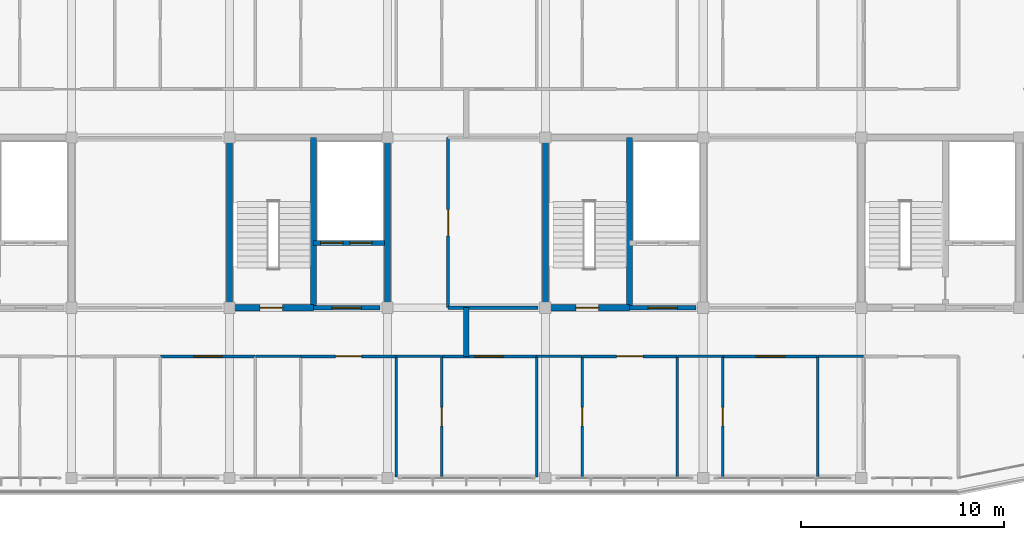
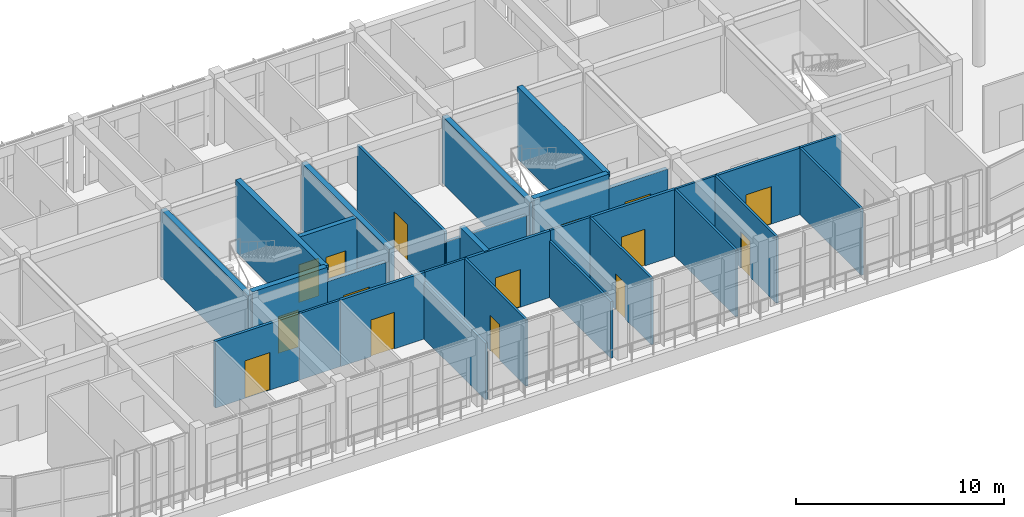
# One storey, part 39 of 44: 30 walls, 15 doors, 15 openings.
"""IFC4 building model written with IfcOpenShell, lengths in metres."""

from ifc_helpers import new_model, si_unit, direction, frame, frame_2d, origin, place, context, subcontext, project, spatial, rectangle, extrude, material, layer, layer_set, type_object, element, fill, save


model = new_model("IFC4")

# Units and contexts
model_context = context("Model", 3, precision=1e-05, world=origin(), true_north=direction((0.0, 1.0)))
body_context = subcontext(model_context, "Body", "Model", "MODEL_VIEW")
ifc_project = project(units=[si_unit("LENGTHUNIT", "METRE"), si_unit("AREAUNIT", "SQUARE_METRE"), si_unit("VOLUMEUNIT", "CUBIC_METRE"), si_unit("PLANEANGLEUNIT", "RADIAN"), si_unit("MASSUNIT", "GRAM", prefix="KILO")], contexts=[model_context])

# Site, building, storey
site_placement = place(None, origin())
site = spatial("IfcSite", under=ifc_project, at=site_placement, CompositionType="ELEMENT")
building_placement = place(site_placement, origin())
building = spatial("IfcBuilding", under=site, at=building_placement, Name="Zizhar Promenade General Hospital", CompositionType="ELEMENT")
storey_placement = place(building_placement, frame((0.0, 0.0, 34.800048828125)))
storey = spatial("IfcBuildingStorey", under=building, at=storey_placement, Name="L08", CompositionType="ELEMENT", Elevation=34.800048828125)

# Wall
ifc_material_1 = material(Name="Concrete C35/45", Category="concrete")
ifc_layer_1 = layer(ifc_material_1, 0.284912109375)
ifc_layer_set_1 = layer_set([ifc_layer_1], Name="Concrete C35/45")
wall_type_1 = type_object("IfcWallType", Name="IW-COMP-285", PredefinedType="STANDARD", material=ifc_layer_set_1)
wall_1_placement = place(storey_placement, frame((74.10009765625, 6.0, 0.0), z_axis=(0.0, 0.0, 1.0), x_axis=(0.0, 1.0, 0.0)))
element("IfcWall", 1, at=wall_1_placement, inside=storey, type_object=wall_type_1, Name="Horizontal Fire Compartment Wall South (L08)", PredefinedType="STANDARD", context=body_context, shape_type="SweptSolid", body=[
    extrude(rectangle(XDim=2.39990234375, YDim=0.284912109375, at=frame_2d((1.199951171875, 0.0))), origin(), (0.0, 0.0, 1.0), 3.89990234375),
])

# Wall, opening, door
ifc_material_2 = material(Name="Concrete C35/45", Category="concrete")
ifc_layer_2 = layer(ifc_material_2, 0.215087890625)
ifc_layer_set_2 = layer_set([ifc_layer_2], Name="Concrete C35/45")
wall_type_2 = type_object("IfcWallType", Name="IW-LOBBY-215", PredefinedType="STANDARD", material=ifc_layer_set_2)
wall_2_placement = place(storey_placement, frame((66.550048828125, 8.39990234375, 0.0), z_axis=(0.0, 0.0, 1.0), x_axis=(1.0, 0.0, 0.0)))
wall_2 = element("IfcWall", 2, at=wall_2_placement, inside=storey, type_object=wall_type_2, Name="Core C3 Lift Lobby South Fire Wall (L08)", PredefinedType="STANDARD", context=body_context, shape_type="SweptSolid", body=[
    extrude(rectangle(XDim=3.2900390625, YDim=0.215087890625, at=frame_2d((1.64501953125, 0.0))), origin(), (0.0, 0.0, 1.0), 3.320068359375),
])
opening_1_placement = place(wall_2_placement, frame((0.925048828125, 0.0, 0.0)))
opening_1 = element("IfcOpeningElement", 3, at=opening_1_placement, cuts=wall_2, Name="Opening D-23", PredefinedType="OPENING", context=body_context, shape_type="SweptSolid", body=[
    extrude(rectangle(XDim=1.43994140625, YDim=2.199951171875, at=frame_2d((0.719970703125, 1.10009765625))), frame((0.0, 0.11767578125, 0.0), z_axis=(0.0, -1.0, 0.0), x_axis=(1.0, 0.0, 0.0)), (0.0, 0.0, 1.0), 0.235107421875),
])
ifc_material_3 = material(Name="Fire-rated timber lift lobby pair", Category="wood")
door_type_1 = type_object("IfcDoorType", Name="DR-LOBBY-PR-144x220", OperationType="DOUBLE_DOOR_SINGLE_SWING", PredefinedType="DOOR", material=ifc_material_3)
door_1_placement = place(opening_1_placement, origin())
door_1 = element("IfcDoor", 4, at=door_1_placement, inside=storey, type_object=door_type_1, Name="Core C3 Protected Lift Lobby Door (L08)", OperationType="DOUBLE_DOOR_SINGLE_SWING", OverallHeight=2.199951171875, OverallWidth=1.43994140625, PredefinedType="DOOR", context=body_context, shape_type="SweptSolid", body=[
    extrude(rectangle(XDim=1.43994140625, YDim=2.199951171875, at=frame_2d((0.719970703125, 1.10009765625))), frame((0.0, 0.02490234375, 0.0), z_axis=(0.0, -1.0, 0.0), x_axis=(1.0, 0.0, 0.0)), (0.0, 0.0, 1.0), 0.050048828125),
])
fill(opening_1, door_1)

wall_3_placement = place(storey_placement, frame((82.14990234375, 8.39990234375, 0.0), z_axis=(0.0, 0.0, 1.0), x_axis=(1.0, 0.0, 0.0)))
wall_3 = element("IfcWall", 5, at=wall_3_placement, inside=storey, type_object=wall_type_2, Name="Core C4 Lift Lobby South Fire Wall (L08)", PredefinedType="STANDARD", context=body_context, shape_type="SweptSolid", body=[
    extrude(rectangle(XDim=3.2900390625, YDim=0.215087890625, at=frame_2d((1.64501953125, 0.0))), origin(), (0.0, 0.0, 1.0), 3.320068359375),
])
opening_2_placement = place(wall_3_placement, frame((0.925048828125, 0.0, 0.0)))
opening_2 = element("IfcOpeningElement", 6, at=opening_2_placement, cuts=wall_3, Name="Opening D-23", PredefinedType="OPENING", context=body_context, shape_type="SweptSolid", body=[
    extrude(rectangle(XDim=1.43994140625, YDim=2.199951171875, at=frame_2d((0.719970703125, 1.10009765625))), frame((0.0, 0.11767578125, 0.0), z_axis=(0.0, -1.0, 0.0), x_axis=(1.0, 0.0, 0.0)), (0.0, 0.0, 1.0), 0.235107421875),
])
door_2_placement = place(opening_2_placement, origin())
door_2 = element("IfcDoor", 7, at=door_2_placement, inside=storey, type_object=door_type_1, Name="Core C4 Protected Lift Lobby Door (L08)", OperationType="DOUBLE_DOOR_SINGLE_SWING", OverallHeight=2.199951171875, OverallWidth=1.43994140625, PredefinedType="DOOR", context=body_context, shape_type="SweptSolid", body=[
    extrude(rectangle(XDim=1.43994140625, YDim=2.199951171875, at=frame_2d((0.719970703125, 1.10009765625))), frame((0.0, 0.02490234375, 0.0), z_axis=(0.0, -1.0, 0.0), x_axis=(1.0, 0.0, 0.0)), (0.0, 0.0, 1.0), 0.050048828125),
])
fill(opening_2, door_2)

# Wall, openings, doors
ifc_material_4 = material(Name="Concrete C35/45", Category="concrete")
ifc_layer_3 = layer(ifc_material_4, 0.25)
ifc_layer_set_3 = layer_set([ifc_layer_3], Name="Concrete C35/45")
wall_type_3 = type_object("IfcWallType", Name="IW-SHAFT-250", PredefinedType="STANDARD", material=ifc_layer_set_3)
wall_4_placement = place(storey_placement, frame((66.550048828125, 11.60009765625, 0.0), z_axis=(0.0, 0.0, 1.0), x_axis=(1.0, 0.0, 0.0)))
wall_4 = element("IfcWall", 8, at=wall_4_placement, inside=storey, type_object=wall_type_3, Name="Core C3 Lift Shaft Landing Wall (L08)", PredefinedType="STANDARD", context=body_context, shape_type="SweptSolid", body=[
    extrude(rectangle(XDim=3.5, YDim=0.25, at=frame_2d((1.75, 0.0))), origin(), (0.0, 0.0, 1.0), 3.89990234375),
])
opening_3_placement = place(wall_4_placement, frame((0.35009765625, 0.0, 0.0)))
opening_3 = element("IfcOpeningElement", 9, at=opening_3_placement, cuts=wall_4, Name="Opening LD-11", PredefinedType="OPENING", context=body_context, shape_type="SweptSolid", body=[
    extrude(rectangle(XDim=1.10009765625, YDim=2.199951171875, at=frame_2d((0.550048828125, 1.10009765625))), frame((0.0, 0.135009765625, 0.0), z_axis=(0.0, -1.0, 0.0), x_axis=(1.0, 0.0, 0.0)), (0.0, 0.0, 1.0), 0.27001953125),
])
opening_4_placement = place(wall_4_placement, frame((1.800048828125, 0.0, 0.0)))
opening_4 = element("IfcOpeningElement", 10, at=opening_4_placement, cuts=wall_4, Name="Opening LD-11", PredefinedType="OPENING", context=body_context, shape_type="SweptSolid", body=[
    extrude(rectangle(XDim=1.10009765625, YDim=2.199951171875, at=frame_2d((0.550048828125, 1.10009765625))), frame((0.0, 0.135009765625, 0.0), z_axis=(0.0, -1.0, 0.0), x_axis=(1.0, 0.0, 0.0)), (0.0, 0.0, 1.0), 0.27001953125),
])
ifc_material_5 = material(Name="Stainless Steel S355 passenger lift landing door", Category="steel")
door_type_2 = type_object("IfcDoorType", Name="DR-LIFT-LD11", OperationType="SLIDING_TO_LEFT", PredefinedType="DOOR", material=ifc_material_5)
door_3_placement = place(opening_3_placement, origin())
door_3 = element("IfcDoor", 11, at=door_3_placement, inside=storey, type_object=door_type_2, Name="Lift LB-02 Sliding Landing Door (L08)", OperationType="SLIDING_TO_LEFT", OverallHeight=2.199951171875, OverallWidth=1.10009765625, PredefinedType="DOOR", context=body_context, shape_type="SweptSolid", body=[
    extrude(rectangle(XDim=1.10009765625, YDim=2.199951171875, at=frame_2d((0.550048828125, 1.10009765625))), frame((0.0, 0.02490234375, 0.0), z_axis=(0.0, -1.0, 0.0), x_axis=(1.0, 0.0, 0.0)), (0.0, 0.0, 1.0), 0.050048828125),
])
fill(opening_3, door_3)
door_4_placement = place(opening_4_placement, origin())
door_4 = element("IfcDoor", 12, at=door_4_placement, inside=storey, type_object=door_type_2, Name="Lift LP-02 Sliding Landing Door (L08)", OperationType="SLIDING_TO_LEFT", OverallHeight=2.199951171875, OverallWidth=1.10009765625, PredefinedType="DOOR", context=body_context, shape_type="SweptSolid", body=[
    extrude(rectangle(XDim=1.10009765625, YDim=2.199951171875, at=frame_2d((0.550048828125, 1.10009765625))), frame((0.0, 0.02490234375, 0.0), z_axis=(0.0, -1.0, 0.0), x_axis=(1.0, 0.0, 0.0)), (0.0, 0.0, 1.0), 0.050048828125),
])
fill(opening_4, door_4)

# Wall, opening, door
ifc_material_6 = material(Name="Acoustic patient bedroom partition")
ifc_layer_4 = layer(ifc_material_6, 0.155029296875)
ifc_layer_set_4 = layer_set([ifc_layer_4], Name="Acoustic patient bedroom partition")
wall_type_4 = type_object("IfcWallType", Name="IW-WARD-155", PredefinedType="PARTITIONING", material=ifc_layer_set_4)
wall_5_placement = place(storey_placement, frame((59.0029296875, 6.0, 0.0), z_axis=(0.0, 0.0, 1.0), x_axis=(1.0, 0.0, 0.0)))
wall_5 = element("IfcWall", 13, at=wall_5_placement, inside=storey, type_object=wall_type_4, Name="Adolescent Inpatient Ward L08-S02 N Partition", PredefinedType="PARTITIONING", context=body_context, shape_type="SweptSolid", body=[
    extrude(rectangle(XDim=4.673095703125, YDim=0.155029296875, at=frame_2d((2.33642578125, 0.0))), origin(), (0.0, 0.0, 1.0), 3.89990234375),
])
opening_5_placement = place(wall_5_placement, frame((1.636474609375, 0.0, 0.0)))
opening_5 = element("IfcOpeningElement", 14, at=opening_5_placement, cuts=wall_5, Name="Opening D-06", PredefinedType="OPENING", context=body_context, shape_type="SweptSolid", body=[
    extrude(rectangle(XDim=1.39990234375, YDim=2.199951171875, at=frame_2d((0.699951171875, 1.10009765625))), frame((0.0, 0.08740234375, 0.0), z_axis=(0.0, -1.0, 0.0), x_axis=(1.0, 0.0, 0.0)), (0.0, 0.0, 1.0), 0.175048828125),
])
ifc_material_7 = material(Name="Fire-rated timber hospital bed leaf", Category="wood")
door_type_3 = type_object("IfcDoorType", Name="DR-BED-WARD-140x220", OperationType="NOTDEFINED", PredefinedType="DOOR", material=ifc_material_7)
door_5_placement = place(opening_5_placement, origin())
door_5 = element("IfcDoor", 15, at=door_5_placement, inside=storey, type_object=door_type_3, Name="Adolescent Inpatient Ward L08-S02 Door", OperationType="SINGLE_SWING_RIGHT", OverallHeight=2.199951171875, OverallWidth=1.39990234375, PredefinedType="DOOR", context=body_context, shape_type="SweptSolid", body=[
    extrude(rectangle(XDim=1.39990234375, YDim=2.199951171875, at=frame_2d((0.699951171875, 1.10009765625))), frame((0.0, 0.02490234375, 0.0), z_axis=(0.0, -1.0, 0.0), x_axis=(1.0, 0.0, 0.0)), (0.0, 0.0, 1.0), 0.050048828125),
])
fill(opening_5, door_5)

wall_6_placement = place(storey_placement, frame((65.946044921875, 6.0, 0.0), z_axis=(0.0, 0.0, 1.0), x_axis=(1.0, 0.0, 0.0)))
wall_6 = element("IfcWall", 16, at=wall_6_placement, inside=storey, type_object=wall_type_4, Name="Paediatric Inpatient Ward L08-S03 N Partition", PredefinedType="PARTITIONING", context=body_context, shape_type="SweptSolid", body=[
    extrude(rectangle(XDim=4.6728515625, YDim=0.155029296875, at=frame_2d((2.33642578125, 0.0))), origin(), (0.0, 0.0, 1.0), 3.89990234375),
])
opening_6_placement = place(wall_6_placement, frame((1.6865234375, 0.0, 0.0)))
opening_6 = element("IfcOpeningElement", 17, at=opening_6_placement, cuts=wall_6, Name="Opening D-09", PredefinedType="OPENING", context=body_context, shape_type="SweptSolid", body=[
    extrude(rectangle(XDim=1.300048828125, YDim=2.14990234375, at=frame_2d((0.64990234375, 1.074951171875))), frame((0.0, 0.08740234375, 0.0), z_axis=(0.0, -1.0, 0.0), x_axis=(1.0, 0.0, 0.0)), (0.0, 0.0, 1.0), 0.175048828125),
])
ifc_material_8 = material(Name="Fire-rated timber paediatric bed leaf", Category="wood")
door_type_4 = type_object("IfcDoorType", Name="DR-BED-PAED-130x215", OperationType="NOTDEFINED", PredefinedType="DOOR", material=ifc_material_8)
door_6_placement = place(opening_6_placement, origin())
door_6 = element("IfcDoor", 18, at=door_6_placement, inside=storey, type_object=door_type_4, Name="Paediatric Inpatient Ward L08-S03 Door", OperationType="SINGLE_SWING_RIGHT", OverallHeight=2.14990234375, OverallWidth=1.300048828125, PredefinedType="DOOR", context=body_context, shape_type="SweptSolid", body=[
    extrude(rectangle(XDim=1.300048828125, YDim=2.14990234375, at=frame_2d((0.64990234375, 1.074951171875))), frame((0.0, 0.02490234375, 0.0), z_axis=(0.0, -1.0, 0.0), x_axis=(1.0, 0.0, 0.0)), (0.0, 0.0, 1.0), 0.050048828125),
])
fill(opening_6, door_6)

wall_7_placement = place(storey_placement, frame((72.888916015625, 6.0, 0.0), z_axis=(0.0, 0.0, 1.0), x_axis=(1.0, 0.0, 0.0)))
wall_7 = element("IfcWall", 19, at=wall_7_placement, inside=storey, type_object=wall_type_4, Name="Adolescent Inpatient Ward L08-S04 N Partition", PredefinedType="PARTITIONING", context=body_context, shape_type="SweptSolid", body=[
    extrude(rectangle(XDim=4.672119140625, YDim=0.155029296875, at=frame_2d((2.3359375, 0.0))), origin(), (0.0, 0.0, 1.0), 3.89990234375),
])
opening_7_placement = place(wall_7_placement, frame((1.635986328125, 0.0, 0.0)))
opening_7 = element("IfcOpeningElement", 20, at=opening_7_placement, cuts=wall_7, Name="Opening D-06", PredefinedType="OPENING", context=body_context, shape_type="SweptSolid", body=[
    extrude(rectangle(XDim=1.39990234375, YDim=2.199951171875, at=frame_2d((0.699951171875, 1.10009765625))), frame((0.0, 0.08740234375, 0.0), z_axis=(0.0, -1.0, 0.0), x_axis=(1.0, 0.0, 0.0)), (0.0, 0.0, 1.0), 0.175048828125),
])
door_7_placement = place(opening_7_placement, origin())
door_7 = element("IfcDoor", 21, at=door_7_placement, inside=storey, type_object=door_type_3, Name="Adolescent Inpatient Ward L08-S04 Door", OperationType="SINGLE_SWING_RIGHT", OverallHeight=2.199951171875, OverallWidth=1.39990234375, PredefinedType="DOOR", context=body_context, shape_type="SweptSolid", body=[
    extrude(rectangle(XDim=1.39990234375, YDim=2.199951171875, at=frame_2d((0.699951171875, 1.10009765625))), frame((0.0, 0.02490234375, 0.0), z_axis=(0.0, -1.0, 0.0), x_axis=(1.0, 0.0, 0.0)), (0.0, 0.0, 1.0), 0.050048828125),
])
fill(opening_7, door_7)

wall_8_placement = place(storey_placement, frame((79.8310546875, 6.0, 0.0), z_axis=(0.0, 0.0, 1.0), x_axis=(1.0, 0.0, 0.0)))
wall_8 = element("IfcWall", 22, at=wall_8_placement, inside=storey, type_object=wall_type_4, Name="Paediatric Inpatient Ward L08-S05 N Partition", PredefinedType="PARTITIONING", context=body_context, shape_type="SweptSolid", body=[
    extrude(rectangle(XDim=4.6728515625, YDim=0.155029296875, at=frame_2d((2.33642578125, 0.0))), origin(), (0.0, 0.0, 1.0), 3.89990234375),
])
opening_8_placement = place(wall_8_placement, frame((1.6865234375, 0.0, 0.0)))
opening_8 = element("IfcOpeningElement", 23, at=opening_8_placement, cuts=wall_8, Name="Opening D-09", PredefinedType="OPENING", context=body_context, shape_type="SweptSolid", body=[
    extrude(rectangle(XDim=1.300048828125, YDim=2.14990234375, at=frame_2d((0.64990234375, 1.074951171875))), frame((0.0, 0.08740234375, 0.0), z_axis=(0.0, -1.0, 0.0), x_axis=(1.0, 0.0, 0.0)), (0.0, 0.0, 1.0), 0.175048828125),
])
door_8_placement = place(opening_8_placement, origin())
door_8 = element("IfcDoor", 24, at=door_8_placement, inside=storey, type_object=door_type_4, Name="Paediatric Inpatient Ward L08-S05 Door", OperationType="SINGLE_SWING_RIGHT", OverallHeight=2.14990234375, OverallWidth=1.300048828125, PredefinedType="DOOR", context=body_context, shape_type="SweptSolid", body=[
    extrude(rectangle(XDim=1.300048828125, YDim=2.14990234375, at=frame_2d((0.64990234375, 1.074951171875))), frame((0.0, 0.02490234375, 0.0), z_axis=(0.0, -1.0, 0.0), x_axis=(1.0, 0.0, 0.0)), (0.0, 0.0, 1.0), 0.050048828125),
])
fill(opening_8, door_8)

wall_9_placement = place(storey_placement, frame((86.77392578125, 6.0, 0.0), z_axis=(0.0, 0.0, 1.0), x_axis=(1.0, 0.0, 0.0)))
wall_9 = element("IfcWall", 25, at=wall_9_placement, inside=storey, type_object=wall_type_4, Name="Adolescent Inpatient Ward L08-S06 N Partition", PredefinedType="PARTITIONING", context=body_context, shape_type="SweptSolid", body=[
    extrude(rectangle(XDim=4.673095703125, YDim=0.155029296875, at=frame_2d((2.33642578125, 0.0))), origin(), (0.0, 0.0, 1.0), 3.89990234375),
])
opening_9_placement = place(wall_9_placement, frame((1.636474609375, 0.0, 0.0)))
opening_9 = element("IfcOpeningElement", 26, at=opening_9_placement, cuts=wall_9, Name="Opening D-06", PredefinedType="OPENING", context=body_context, shape_type="SweptSolid", body=[
    extrude(rectangle(XDim=1.39990234375, YDim=2.199951171875, at=frame_2d((0.699951171875, 1.10009765625))), frame((0.0, 0.08740234375, 0.0), z_axis=(0.0, -1.0, 0.0), x_axis=(1.0, 0.0, 0.0)), (0.0, 0.0, 1.0), 0.175048828125),
])
door_9_placement = place(opening_9_placement, origin())
door_9 = element("IfcDoor", 27, at=door_9_placement, inside=storey, type_object=door_type_3, Name="Adolescent Inpatient Ward L08-S06 Door", OperationType="SINGLE_SWING_RIGHT", OverallHeight=2.199951171875, OverallWidth=1.39990234375, PredefinedType="DOOR", context=body_context, shape_type="SweptSolid", body=[
    extrude(rectangle(XDim=1.39990234375, YDim=2.199951171875, at=frame_2d((0.699951171875, 1.10009765625))), frame((0.0, 0.02490234375, 0.0), z_axis=(0.0, -1.0, 0.0), x_axis=(1.0, 0.0, 0.0)), (0.0, 0.0, 1.0), 0.050048828125),
])
fill(opening_9, door_9)

# Wall
wall_10_placement = place(storey_placement, frame((73.199951171875, 8.39990234375, 0.0), z_axis=(0.0, 0.0, 1.0), x_axis=(1.0, 0.0, 0.0)))
element("IfcWall", 28, at=wall_10_placement, inside=storey, type_object=wall_type_4, Name="Paediatric Play and Family Therapy Room S Partition", PredefinedType="PARTITIONING", context=body_context, shape_type="SweptSolid", body=[
    extrude(rectangle(XDim=4.43994140625, YDim=0.155029296875, at=frame_2d((2.219970703125, 0.0))), origin(), (0.0, 0.0, 1.0), 3.320068359375),
])

# Wall, opening, door
wall_11_placement = place(storey_placement, frame((73.199951171875, 8.39990234375, 0.0), z_axis=(0.0, 0.0, 1.0), x_axis=(0.0, 1.0, 0.0)))
wall_11 = element("IfcWall", 29, at=wall_11_placement, inside=storey, type_object=wall_type_4, Name="Paediatric Play and Family Therapy Room W Partition", PredefinedType="PARTITIONING", context=body_context, shape_type="SweptSolid", body=[
    extrude(rectangle(XDim=8.400146484375, YDim=0.155029296875, at=frame_2d((4.2001953125, 0.0))), origin(), (0.0, 0.0, 1.0), 3.89990234375),
])
opening_10_placement = place(wall_11_placement, frame((3.550048828125, 0.0, 0.0)))
opening_10 = element("IfcOpeningElement", 30, at=opening_10_placement, cuts=wall_11, Name="Opening D-09", PredefinedType="OPENING", context=body_context, shape_type="SweptSolid", body=[
    extrude(rectangle(XDim=1.300048828125, YDim=2.14990234375, at=frame_2d((0.64990234375, 1.074951171875))), frame((0.0, 0.08740234375, 0.0), z_axis=(0.0, -1.0, 0.0), x_axis=(1.0, 0.0, 0.0)), (0.0, 0.0, 1.0), 0.175048828125),
])
door_10_placement = place(opening_10_placement, origin())
door_10 = element("IfcDoor", 31, at=door_10_placement, inside=storey, type_object=door_type_4, Name="Paediatric Play and Family Therapy Room Door", OperationType="SINGLE_SWING_LEFT", OverallHeight=2.14990234375, OverallWidth=1.300048828125, PredefinedType="DOOR", context=body_context, shape_type="SweptSolid", body=[
    extrude(rectangle(XDim=1.300048828125, YDim=2.14990234375, at=frame_2d((0.64990234375, 1.074951171875))), frame((0.0, 0.02490234375, 0.0), z_axis=(0.0, -1.0, 0.0), x_axis=(1.0, 0.0, 0.0)), (0.0, 0.0, 1.0), 0.050048828125),
])
fill(opening_10, door_10)

# Walls
ifc_material_9 = material(Name="Moisture-resistant en-suite wet partition")
ifc_layer_5 = layer(ifc_material_9, 0.125)
ifc_layer_set_5 = layer_set([ifc_layer_5], Name="Moisture-resistant en-suite wet partition")
wall_type_5 = type_object("IfcWallType", Name="IW-WET-125", PredefinedType="PARTITIONING", material=ifc_layer_set_5)
for number, where, z_axis, x_axis, name in (
    (32, (63.685791015625, 6.0, 0.0), (0.0, 0.0, 1.0), (1.0, 0.0, 0.0), "En-Suite Patient Bathroom L08-S03 N Partition"),
    (33, (70.628662109375, 6.0, 0.0), (0.0, 0.0, 1.0), (1.0, 0.0, 0.0), "En-Suite Patient Bathroom L08-S04 N Partition"),
):
    element("IfcWall", number, at=place(storey_placement, frame(where, z_axis=z_axis, x_axis=x_axis)), inside=storey, type_object=wall_type_5, Name=name, PredefinedType="PARTITIONING", context=body_context, shape_type="SweptSolid", body=[
        extrude(rectangle(XDim=2.25, YDim=0.125, at=frame_2d((1.125, 0.0))), origin(), (0.0, 0.0, 1.0), 3.89990234375),
    ])
wall_12_placement = place(storey_placement, frame((70.628662109375, 0.044921875, 0.0), z_axis=(0.0, 0.0, 1.0), x_axis=(0.0, 1.0, 0.0)))
element("IfcWall", 34, at=wall_12_placement, inside=storey, type_object=wall_type_5, Name="En-Suite Patient Bathroom L08-S04 W Partition", PredefinedType="PARTITIONING", context=body_context, shape_type="SweptSolid", body=[
    extrude(rectangle(XDim=5.955078125, YDim=0.125, at=frame_2d((2.9775390625, 0.0))), origin(), (0.0, 0.0, 1.0), 3.320068359375),
])

# Wall, opening, door
wall_13_placement = place(storey_placement, frame((72.878662109375, 0.044921875, 0.0), z_axis=(0.0, 0.0, 1.0), x_axis=(0.0, 1.0, 0.0)))
wall_13 = element("IfcWall", 35, at=wall_13_placement, inside=storey, type_object=wall_type_5, Name="En-Suite Patient Bathroom L08-S04 E Partition", PredefinedType="PARTITIONING", context=body_context, shape_type="SweptSolid", body=[
    extrude(rectangle(XDim=5.955078125, YDim=0.125, at=frame_2d((2.9775390625, 0.0))), origin(), (0.0, 0.0, 1.0), 3.89990234375),
])
opening_11_placement = place(wall_13_placement, frame((2.517578125, 0.0, 0.0)))
opening_11 = element("IfcOpeningElement", 36, at=opening_11_placement, cuts=wall_13, Name="Opening D-18", PredefinedType="OPENING", context=body_context, shape_type="SweptSolid", body=[
    extrude(rectangle(XDim=0.919921875, YDim=2.10009765625, at=frame_2d((0.4599609375, 1.050048828125))), frame((0.0, 0.072509765625, 0.0), z_axis=(0.0, -1.0, 0.0), x_axis=(1.0, 0.0, 0.0)), (0.0, 0.0, 1.0), 0.14501953125),
])
ifc_material_10 = material(Name="Moisture-resistant timber en-suite leaf", Category="wood")
door_type_5 = type_object("IfcDoorType", Name="DR-ENS-STD-092x210", OperationType="NOTDEFINED", PredefinedType="DOOR", material=ifc_material_10)
door_11_placement = place(opening_11_placement, origin())
door_11 = element("IfcDoor", 37, at=door_11_placement, inside=storey, type_object=door_type_5, Name="En-Suite Patient Bathroom L08-S04 Door", OperationType="SINGLE_SWING_RIGHT", OverallHeight=2.10009765625, OverallWidth=0.919921875, PredefinedType="DOOR", context=body_context, shape_type="SweptSolid", body=[
    extrude(rectangle(XDim=0.919921875, YDim=2.10009765625, at=frame_2d((0.4599609375, 1.050048828125))), frame((0.0, 0.02490234375, 0.0), z_axis=(0.0, -1.0, 0.0), x_axis=(1.0, 0.0, 0.0)), (0.0, 0.0, 1.0), 0.050048828125),
])
fill(opening_11, door_11)

# Walls
wall_14_placement = place(storey_placement, frame((77.5712890625, 6.0, 0.0), z_axis=(0.0, 0.0, 1.0), x_axis=(1.0, 0.0, 0.0)))
element("IfcWall", 38, at=wall_14_placement, inside=storey, type_object=wall_type_5, Name="En-Suite Patient Bathroom L08-S05 N Partition", PredefinedType="PARTITIONING", context=body_context, shape_type="SweptSolid", body=[
    extrude(rectangle(XDim=2.25, YDim=0.125, at=frame_2d((1.125, 0.0))), origin(), (0.0, 0.0, 1.0), 3.89990234375),
])
wall_15_placement = place(storey_placement, frame((77.5712890625, 0.044921875, 0.0), z_axis=(0.0, 0.0, 1.0), x_axis=(0.0, 1.0, 0.0)))
element("IfcWall", 39, at=wall_15_placement, inside=storey, type_object=wall_type_5, Name="En-Suite Patient Bathroom L08-S05 W Partition", PredefinedType="PARTITIONING", context=body_context, shape_type="SweptSolid", body=[
    extrude(rectangle(XDim=5.955078125, YDim=0.125, at=frame_2d((2.9775390625, 0.0))), origin(), (0.0, 0.0, 1.0), 3.320068359375),
])

# Wall, opening, door
wall_16_placement = place(storey_placement, frame((79.8212890625, 0.044921875, 0.0), z_axis=(0.0, 0.0, 1.0), x_axis=(0.0, 1.0, 0.0)))
wall_16 = element("IfcWall", 40, at=wall_16_placement, inside=storey, type_object=wall_type_5, Name="En-Suite Patient Bathroom L08-S05 E Partition", PredefinedType="PARTITIONING", context=body_context, shape_type="SweptSolid", body=[
    extrude(rectangle(XDim=5.955078125, YDim=0.125, at=frame_2d((2.9775390625, 0.0))), origin(), (0.0, 0.0, 1.0), 3.89990234375),
])
opening_12_placement = place(wall_16_placement, frame((2.517578125, 0.0, 0.0)))
opening_12 = element("IfcOpeningElement", 41, at=opening_12_placement, cuts=wall_16, Name="Opening D-18", PredefinedType="OPENING", context=body_context, shape_type="SweptSolid", body=[
    extrude(rectangle(XDim=0.919921875, YDim=2.10009765625, at=frame_2d((0.4599609375, 1.050048828125))), frame((0.0, 0.072509765625, 0.0), z_axis=(0.0, -1.0, 0.0), x_axis=(1.0, 0.0, 0.0)), (0.0, 0.0, 1.0), 0.14501953125),
])
door_12_placement = place(opening_12_placement, origin())
door_12 = element("IfcDoor", 42, at=door_12_placement, inside=storey, type_object=door_type_5, Name="En-Suite Patient Bathroom L08-S05 Door", OperationType="SINGLE_SWING_RIGHT", OverallHeight=2.10009765625, OverallWidth=0.919921875, PredefinedType="DOOR", context=body_context, shape_type="SweptSolid", body=[
    extrude(rectangle(XDim=0.919921875, YDim=2.10009765625, at=frame_2d((0.4599609375, 1.050048828125))), frame((0.0, 0.02490234375, 0.0), z_axis=(0.0, -1.0, 0.0), x_axis=(1.0, 0.0, 0.0)), (0.0, 0.0, 1.0), 0.050048828125),
])
fill(opening_12, door_12)

# Walls
wall_17_placement = place(storey_placement, frame((84.514404296875, 6.0, 0.0), z_axis=(0.0, 0.0, 1.0), x_axis=(1.0, 0.0, 0.0)))
element("IfcWall", 43, at=wall_17_placement, inside=storey, type_object=wall_type_5, Name="En-Suite Patient Bathroom L08-S06 N Partition", PredefinedType="PARTITIONING", context=body_context, shape_type="SweptSolid", body=[
    extrude(rectangle(XDim=2.25, YDim=0.125, at=frame_2d((1.125, 0.0))), origin(), (0.0, 0.0, 1.0), 3.89990234375),
])
wall_18_placement = place(storey_placement, frame((84.514404296875, 0.044921875, 0.0), z_axis=(0.0, 0.0, 1.0), x_axis=(0.0, 1.0, 0.0)))
element("IfcWall", 44, at=wall_18_placement, inside=storey, type_object=wall_type_5, Name="En-Suite Patient Bathroom L08-S06 W Partition", PredefinedType="PARTITIONING", context=body_context, shape_type="SweptSolid", body=[
    extrude(rectangle(XDim=5.955078125, YDim=0.125, at=frame_2d((2.9775390625, 0.0))), origin(), (0.0, 0.0, 1.0), 3.89990234375),
])

# Wall, opening, door
wall_19_placement = place(storey_placement, frame((86.764404296875, 0.044921875, 0.0), z_axis=(0.0, 0.0, 1.0), x_axis=(0.0, 1.0, 0.0)))
wall_19 = element("IfcWall", 45, at=wall_19_placement, inside=storey, type_object=wall_type_5, Name="En-Suite Patient Bathroom L08-S06 E Partition", PredefinedType="PARTITIONING", context=body_context, shape_type="SweptSolid", body=[
    extrude(rectangle(XDim=5.955078125, YDim=0.125, at=frame_2d((2.9775390625, 0.0))), origin(), (0.0, 0.0, 1.0), 3.89990234375),
])
opening_13_placement = place(wall_19_placement, frame((2.517578125, 0.0, 0.0)))
opening_13 = element("IfcOpeningElement", 46, at=opening_13_placement, cuts=wall_19, Name="Opening D-18", PredefinedType="OPENING", context=body_context, shape_type="SweptSolid", body=[
    extrude(rectangle(XDim=0.919921875, YDim=2.10009765625, at=frame_2d((0.4599609375, 1.050048828125))), frame((0.0, 0.072509765625, 0.0), z_axis=(0.0, -1.0, 0.0), x_axis=(1.0, 0.0, 0.0)), (0.0, 0.0, 1.0), 0.14501953125),
])
door_13_placement = place(opening_13_placement, origin())
door_13 = element("IfcDoor", 47, at=door_13_placement, inside=storey, type_object=door_type_5, Name="En-Suite Patient Bathroom L08-S06 Door", OperationType="SINGLE_SWING_RIGHT", OverallHeight=2.10009765625, OverallWidth=0.919921875, PredefinedType="DOOR", context=body_context, shape_type="SweptSolid", body=[
    extrude(rectangle(XDim=0.919921875, YDim=2.10009765625, at=frame_2d((0.4599609375, 1.050048828125))), frame((0.0, 0.02490234375, 0.0), z_axis=(0.0, -1.0, 0.0), x_axis=(1.0, 0.0, 0.0)), (0.0, 0.0, 1.0), 0.050048828125),
])
fill(opening_13, door_13)

# Walls
wall_20_placement = place(storey_placement, frame((91.45703125, 6.0, 0.0), z_axis=(0.0, 0.0, 1.0), x_axis=(1.0, 0.0, 0.0)))
element("IfcWall", 48, at=wall_20_placement, inside=storey, type_object=wall_type_5, Name="En-Suite Patient Bathroom L08-S07 N Partition", PredefinedType="PARTITIONING", context=body_context, shape_type="SweptSolid", body=[
    extrude(rectangle(XDim=2.25, YDim=0.125, at=frame_2d((1.125, 0.0))), origin(), (0.0, 0.0, 1.0), 3.89990234375),
])
wall_21_placement = place(storey_placement, frame((91.45703125, 0.044921875, 0.0), z_axis=(0.0, 0.0, 1.0), x_axis=(0.0, 1.0, 0.0)))
element("IfcWall", 49, at=wall_21_placement, inside=storey, type_object=wall_type_5, Name="En-Suite Patient Bathroom L08-S07 W Partition", PredefinedType="PARTITIONING", context=body_context, shape_type="SweptSolid", body=[
    extrude(rectangle(XDim=5.955078125, YDim=0.125, at=frame_2d((2.9775390625, 0.0))), origin(), (0.0, 0.0, 1.0), 3.89990234375),
])
ifc_material_11 = material(Name="Concrete C40/50", Category="concrete")
ifc_layer_6 = layer(ifc_material_11, 0.300048828125)
ifc_layer_set_6 = layer_set([ifc_layer_6], Name="Concrete C40/50")
wall_type_6 = type_object("IfcWallType", Name="WL-CORE-300", PredefinedType="SHEAR", material=ifc_layer_set_6)
for number, where, z_axis, x_axis, name in (
    (50, (62.39990234375, 8.39990234375, 0.0), (0.0, 0.0, 1.0), (0.0, 1.0, 0.0), "Core C3 West Shear Wall L08"),
    (51, (70.199951171875, 8.39990234375, 0.0), (0.0, 0.0, 1.0), (0.0, 1.0, 0.0), "Core C3 East Shear Wall L08"),
    (52, (78.0, 8.39990234375, 0.0), (0.0, 0.0, 1.0), (0.0, 1.0, 0.0), "Core C4 West Shear Wall L08"),
):
    element("IfcWall", number, at=place(storey_placement, frame(where, z_axis=z_axis, x_axis=x_axis)), inside=storey, type_object=wall_type_6, Name=name, PredefinedType="SHEAR", context=body_context, shape_type="SweptSolid", body=[
        extrude(rectangle(XDim=8.400146484375, YDim=0.300048828125, at=frame_2d((4.2001953125, 0.0))), origin(), (0.0, 0.0, 1.0), 3.919921875),
    ])

# Wall, opening, door
wall_22_placement = place(storey_placement, frame((62.39990234375, 8.39990234375, 0.0), z_axis=(0.0, 0.0, 1.0), x_axis=(1.0, 0.0, 0.0)))
wall_22 = element("IfcWall", 53, at=wall_22_placement, inside=storey, type_object=wall_type_6, Name="Core C3 Stair South Fire Wall (L08)", PredefinedType="SHEAR", context=body_context, shape_type="SweptSolid", body=[
    extrude(rectangle(XDim=4.150146484375, YDim=0.300048828125, at=frame_2d((2.0751953125, 0.0))), origin(), (0.0, 0.0, 1.0), 4.199951171875),
])
opening_14_placement = place(wall_22_placement, frame((1.514892578125, 0.0, 0.0)))
opening_14 = element("IfcOpeningElement", 54, at=opening_14_placement, cuts=wall_22, Name="Opening D-21", PredefinedType="OPENING", context=body_context, shape_type="SweptSolid", body=[
    extrude(rectangle(XDim=1.1201171875, YDim=2.14990234375, at=frame_2d((0.56005859375, 1.074951171875))), frame((0.0, 0.16015625, 0.0), z_axis=(0.0, -1.0, 0.0), x_axis=(1.0, 0.0, 0.0)), (0.0, 0.0, 1.0), 0.320068359375),
])
ifc_material_12 = material(Name="Steel S355 protected stair door", Category="steel")
door_type_6 = type_object("IfcDoorType", Name="DR-STAIR-112x215", OperationType="NOTDEFINED", PredefinedType="DOOR", material=ifc_material_12)
door_14_placement = place(opening_14_placement, origin())
door_14 = element("IfcDoor", 55, at=door_14_placement, inside=storey, type_object=door_type_6, Name="Exit Stair ST-03 Door (L08)", OperationType="SINGLE_SWING_LEFT", OverallHeight=2.14990234375, OverallWidth=1.1201171875, PredefinedType="DOOR", context=body_context, shape_type="SweptSolid", body=[
    extrude(rectangle(XDim=1.1201171875, YDim=2.14990234375, at=frame_2d((0.56005859375, 1.074951171875))), frame((0.0, 0.02490234375, 0.0), z_axis=(0.0, -1.0, 0.0), x_axis=(1.0, 0.0, 0.0)), (0.0, 0.0, 1.0), 0.050048828125),
])
fill(opening_14, door_14)

# Wall
wall_23_placement = place(storey_placement, frame((66.550048828125, 8.39990234375, 0.0), z_axis=(0.0, 0.0, 1.0), x_axis=(0.0, 1.0, 0.0)))
element("IfcWall", 56, at=wall_23_placement, inside=storey, type_object=wall_type_6, Name="Core C3 Stair-Shaft Separation Wall (L08)", PredefinedType="SHEAR", context=body_context, shape_type="SweptSolid", body=[
    extrude(rectangle(XDim=8.400146484375, YDim=0.300048828125, at=frame_2d((4.2001953125, 0.0))), origin(), (0.0, 0.0, 1.0), 4.199951171875),
])

# Wall, opening, door
wall_24_placement = place(storey_placement, frame((78.0, 8.39990234375, 0.0), z_axis=(0.0, 0.0, 1.0), x_axis=(1.0, 0.0, 0.0)))
wall_24 = element("IfcWall", 57, at=wall_24_placement, inside=storey, type_object=wall_type_6, Name="Core C4 Stair South Fire Wall (L08)", PredefinedType="SHEAR", context=body_context, shape_type="SweptSolid", body=[
    extrude(rectangle(XDim=4.14990234375, YDim=0.300048828125, at=frame_2d((2.074951171875, 0.0))), origin(), (0.0, 0.0, 1.0), 4.199951171875),
])
opening_15_placement = place(wall_24_placement, frame((1.514892578125, 0.0, 0.0)))
opening_15 = element("IfcOpeningElement", 58, at=opening_15_placement, cuts=wall_24, Name="Opening D-21", PredefinedType="OPENING", context=body_context, shape_type="SweptSolid", body=[
    extrude(rectangle(XDim=1.1201171875, YDim=2.14990234375, at=frame_2d((0.56005859375, 1.074951171875))), frame((0.0, 0.16015625, 0.0), z_axis=(0.0, -1.0, 0.0), x_axis=(1.0, 0.0, 0.0)), (0.0, 0.0, 1.0), 0.320068359375),
])
door_15_placement = place(opening_15_placement, origin())
door_15 = element("IfcDoor", 59, at=door_15_placement, inside=storey, type_object=door_type_6, Name="Exit Stair ST-04 Door (L08)", OperationType="SINGLE_SWING_LEFT", OverallHeight=2.14990234375, OverallWidth=1.1201171875, PredefinedType="DOOR", context=body_context, shape_type="SweptSolid", body=[
    extrude(rectangle(XDim=1.1201171875, YDim=2.14990234375, at=frame_2d((0.56005859375, 1.074951171875))), frame((0.0, 0.02490234375, 0.0), z_axis=(0.0, -1.0, 0.0), x_axis=(1.0, 0.0, 0.0)), (0.0, 0.0, 1.0), 0.050048828125),
])
fill(opening_15, door_15)

# Wall
wall_25_placement = place(storey_placement, frame((82.14990234375, 8.39990234375, 0.0), z_axis=(0.0, 0.0, 1.0), x_axis=(0.0, 1.0, 0.0)))
element("IfcWall", 60, at=wall_25_placement, inside=storey, type_object=wall_type_6, Name="Core C4 Stair-Shaft Separation Wall (L08)", PredefinedType="SHEAR", context=body_context, shape_type="SweptSolid", body=[
    extrude(rectangle(XDim=8.400146484375, YDim=0.300048828125, at=frame_2d((4.2001953125, 0.0))), origin(), (0.0, 0.0, 1.0), 4.199951171875),
])

save(model, "model.ifc")
